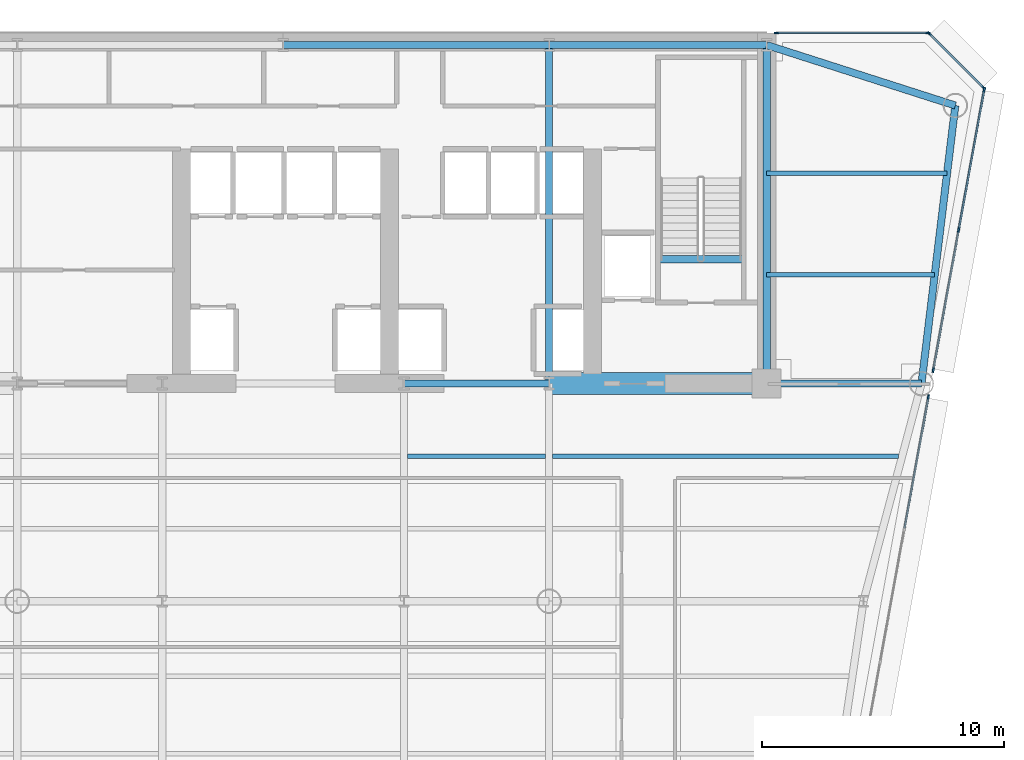
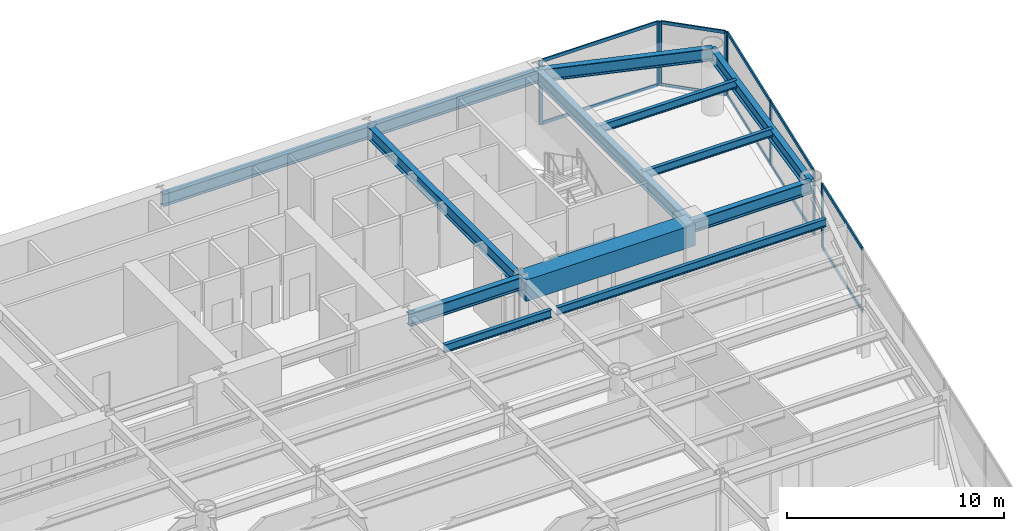
# One storey, part 6 of 14: 18 members, 14 beams, 4 elements without a shape of their own.
"""IFC4 building model written with IfcOpenShell, lengths in metres."""

from ifc_helpers import new_model, si_unit, direction, frame, origin, origin_2d, place, context, subcontext, project, spatial, rectangle, i_section, extrude, source, transform, mapped, material, layer, layer_set, material_profile, profile_set, type_object, element, aggregate, save


model = new_model("IFC4")

# Units and contexts
model_context = context("Model", 3, precision=1e-05, world=origin(), true_north=direction((0.0, 1.0)))
body_context = subcontext(model_context, "Body", "Model", "MODEL_VIEW")
ifc_project = project(units=[si_unit("LENGTHUNIT", "METRE"), si_unit("AREAUNIT", "SQUARE_METRE"), si_unit("VOLUMEUNIT", "CUBIC_METRE"), si_unit("PLANEANGLEUNIT", "RADIAN"), si_unit("MASSUNIT", "GRAM", prefix="KILO")], contexts=[model_context])

# Site, building, storey
site_placement = place(None, origin())
site = spatial("IfcSite", under=ifc_project, at=site_placement, CompositionType="ELEMENT")
building_placement = place(site_placement, origin())
building = spatial("IfcBuilding", under=site, at=building_placement, Name="Vaeldorn Concourse Tower", CompositionType="ELEMENT")
storey_placement = place(building_placement, frame((0.0, 0.0, 133.800048828125)))
storey = spatial("IfcBuildingStorey", under=building, at=storey_placement, Name="L34", CompositionType="ELEMENT", Elevation=133.800048828125)

# Beams
ifc_material_1 = material(Name="Concrete C60/75", Category="concrete")
ifc_material_profile_1 = material_profile(ifc_material_1, rectangle(XDim=0.89990234375, YDim=1.199951171875, at=origin_2d()), Name="RC 900x1200")
ifc_profile_set_1 = profile_set([ifc_material_profile_1], Name="Concrete C60/75")
beam_type_1 = type_object("IfcBeamType", Name="BM-CB-RC900", PredefinedType="BEAM", material=ifc_profile_set_1)
shared_shape_1 = source(origin(), body_context, "Body", "SweptSolid", [
    extrude(rectangle(XDim=0.89990234375, YDim=1.199951171875, at=origin_2d()), origin(), (0.0, 0.0, 1.0), 9.0),
])
beam_1_placement = place(storey_placement, frame((45.0, 36.5, 2.97998046875), z_axis=(1.0, 0.0, 0.0), x_axis=(0.0, 1.0, 0.0)))
element("IfcBeam", 1, at=beam_1_placement, inside=storey, type_object=beam_type_1, Name="Core Coupling Beam L34-2", PredefinedType="BEAM", context=body_context, shape_type="MappedRepresentation", body=[
    mapped(shared_shape_1, transform((0.0, 0.0, 0.0), scale=1.0)),
])
ifc_material_2 = material(Name="Steel S355", Category="steel")
ifc_material_profile_2 = material_profile(ifc_material_2, i_section(OverallWidth=0.300048828125, OverallDepth=0.340087890625, WebThickness=0.011962890625, FlangeThickness=0.021484375, FilletRadius=0.027099609375, at=origin_2d()), Name="HEB 340")
ifc_profile_set_2 = profile_set([ifc_material_profile_2], Name="Steel S355")
beam_type_2 = type_object("IfcBeamType", Name="BM-ST-TRIM", PredefinedType="BEAM", material=ifc_profile_set_2)
shared_shape_2 = source(origin(), body_context, "Body", "SweptSolid", [
    extrude(i_section(OverallWidth=0.300048828125, OverallDepth=0.340087890625, WebThickness=0.011962890625, FlangeThickness=0.021484375, FilletRadius=0.027099609375, at=origin_2d()), origin(), (0.0, 0.0, 1.0), 3.590087890625),
])
beam_2_placement = place(storey_placement, frame((49.47998046875, 41.639892578125, -0.39013671875), z_axis=(1.0, 0.0, 0.0), x_axis=(0.0, 1.0, 0.0)))
element("IfcBeam", 2, at=beam_2_placement, inside=storey, type_object=beam_type_2, Name="Stair Landing Trimmer Beam ST-2 L34", PredefinedType="BEAM", context=body_context, shape_type="MappedRepresentation", body=[
    mapped(shared_shape_2, transform((0.0, 0.0, 0.0), scale=1.0)),
])
ifc_material_profile_3 = material_profile(ifc_material_2, i_section(OverallWidth=0.300048828125, OverallDepth=0.699951171875, WebThickness=0.01708984375, FlangeThickness=0.031982421875, FilletRadius=0.027099609375, at=origin_2d()), Name="HEB 700")
ifc_profile_set_3 = profile_set([ifc_material_profile_3], Name="Steel S355")
beam_type_3 = type_object("IfcBeamType", Name="BM-PG-HEB700", PredefinedType="BEAM", material=ifc_profile_set_3)
shared_shape_3 = source(origin(), body_context, "Body", "SweptSolid", [
    extrude(i_section(OverallWidth=0.300048828125, OverallDepth=0.699951171875, WebThickness=0.01708984375, FlangeThickness=0.031982421875, FilletRadius=0.027099609375, at=origin_2d()), origin(), (0.0, 0.0, 1.0), 6.0),
])
beam_3_placement = place(storey_placement, frame((39.0, 36.5, 3.22998046875), z_axis=(1.0, 0.0, 0.0), x_axis=(0.0, 1.0, 0.0)))
element("IfcBeam", 3, at=beam_3_placement, inside=storey, type_object=beam_type_3, Name="Beam BM-L34-C-FC4-C-FC5", PredefinedType="BEAM", context=body_context, shape_type="MappedRepresentation", body=[
    mapped(shared_shape_3, transform((0.0, 0.0, 0.0), scale=1.0)),
])
shared_shape_4 = source(origin(), body_context, "Body", "SweptSolid", [
    extrude(i_section(OverallWidth=0.300048828125, OverallDepth=0.699951171875, WebThickness=0.01708984375, FlangeThickness=0.031982421875, FilletRadius=0.027099609375, at=origin_2d()), origin(), (0.0, 0.0, 1.0), 9.0),
])
beam_4_placement = place(storey_placement, frame((45.0, 50.5, 3.22998046875), z_axis=(1.0, 0.0, 0.0), x_axis=(0.0, 1.0, 0.0)))
element("IfcBeam", 4, at=beam_4_placement, inside=storey, type_object=beam_type_3, Name="Beam BM-L34-C-HC4-C-HC5", PredefinedType="BEAM", context=body_context, shape_type="MappedRepresentation", body=[
    mapped(shared_shape_4, transform((0.0, 0.0, 0.0), scale=1.0)),
])
shared_shape_5 = source(origin(), body_context, "Body", "SweptSolid", [
    extrude(i_section(OverallWidth=0.300048828125, OverallDepth=0.699951171875, WebThickness=0.01708984375, FlangeThickness=0.031982421875, FilletRadius=0.027099609375, at=origin_2d()), origin(), (0.0, 0.0, 1.0), 11.0),
])
beam_5_placement = place(storey_placement, frame((34.0, 50.5, 3.22998046875), z_axis=(1.0, 0.0, 0.0), x_axis=(0.0, 1.0, 0.0)))
element("IfcBeam", 5, at=beam_5_placement, inside=storey, type_object=beam_type_3, Name="Beam BM-L34-C-HC3-C-HC4", PredefinedType="BEAM", context=body_context, shape_type="MappedRepresentation", body=[
    mapped(shared_shape_5, transform((0.0, 0.0, 0.0), scale=1.0)),
])
shared_shape_6 = source(origin(), body_context, "Body", "SweptSolid", [
    extrude(i_section(OverallWidth=0.300048828125, OverallDepth=0.699951171875, WebThickness=0.01708984375, FlangeThickness=0.031982421875, FilletRadius=0.027099609375, at=origin_2d()), origin(), (0.0, 0.0, 1.0), 14.0),
])
for number, where, z_axis, x_axis, name in (
    (6, (45.0, 36.5, 3.22998046875), (0.0, 1.0, 0.0), (-1.0, 0.0, 0.0), "Beam BM-L34-C-FC5-C-HC4"),
    (7, (54.0, 36.5, 3.22998046875), (0.0, 1.0, 0.0), (-1.0, 0.0, 0.0), "Beam BM-L34-C-FC6-C-HC5"),
):
    element("IfcBeam", number, at=place(storey_placement, frame(where, z_axis=z_axis, x_axis=x_axis)), inside=storey, type_object=beam_type_3, Name=name, PredefinedType="BEAM", context=body_context, shape_type="MappedRepresentation", body=[
        mapped(shared_shape_6, transform((0.0, 0.0, 0.0), scale=1.0)),
    ])
shared_shape_7 = source(origin(), body_context, "Body", "SweptSolid", [
    extrude(i_section(OverallWidth=0.300048828125, OverallDepth=0.699951171875, WebThickness=0.01708984375, FlangeThickness=0.031982421875, FilletRadius=0.027099609375, at=origin_2d()), origin(), (0.0, 0.0, 1.0), 8.19091796875),
])
beam_6_placement = place(storey_placement, frame((54.0, 50.5, 3.22998046875), z_axis=(0.952282843383, -0.305216949396, 0.0), x_axis=(0.305216949396, 0.952282843383, 0.0)))
element("IfcBeam", 8, at=beam_6_placement, inside=storey, type_object=beam_type_3, Name="Beam BM-L34-C-HC5-C-NE1", PredefinedType="BEAM", context=body_context, shape_type="MappedRepresentation", body=[
    mapped(shared_shape_7, transform((0.0, 0.0, 0.0), scale=1.0)),
])
shared_shape_8 = source(origin(), body_context, "Body", "SweptSolid", [
    extrude(i_section(OverallWidth=0.300048828125, OverallDepth=0.699951171875, WebThickness=0.01708984375, FlangeThickness=0.031982421875, FilletRadius=0.027099609375, at=origin_2d()), origin(), (0.0, 0.0, 1.0), 11.5849609375),
])
beam_7_placement = place(storey_placement, frame((61.800048828125, 48.0, 3.22998046875), z_axis=(-0.120859382899, -0.992669637677, 0.0), x_axis=(0.992669637677, -0.120859382899, 0.0)))
element("IfcBeam", 9, at=beam_7_placement, inside=storey, type_object=beam_type_3, Name="Beam BM-L34-C-NE1-C-NE2", PredefinedType="BEAM", context=body_context, shape_type="MappedRepresentation", body=[
    mapped(shared_shape_8, transform((0.0, 0.0, 0.0), scale=1.0)),
])
shared_shape_9 = source(origin(), body_context, "Body", "SweptSolid", [
    extrude(i_section(OverallWidth=0.300048828125, OverallDepth=0.699951171875, WebThickness=0.01708984375, FlangeThickness=0.031982421875, FilletRadius=0.027099609375, at=origin_2d()), origin(), (0.0, 0.0, 1.0), 6.39990234375),
])
beam_8_placement = place(storey_placement, frame((54.0, 36.5, 3.22998046875), z_axis=(1.0, 0.0, 0.0), x_axis=(0.0, 1.0, 0.0)))
element("IfcBeam", 10, at=beam_8_placement, inside=storey, type_object=beam_type_3, Name="Beam BM-L34-C-FC6-C-NE2", PredefinedType="BEAM", context=body_context, shape_type="MappedRepresentation", body=[
    mapped(shared_shape_9, transform((0.0, 0.0, 0.0), scale=1.0)),
])
ifc_material_profile_4 = material_profile(ifc_material_2, i_section(OverallWidth=0.18994140625, OverallDepth=0.449951171875, WebThickness=0.009521484375, FlangeThickness=0.0146484375, FilletRadius=0.02099609375, at=origin_2d()), Name="IPE 450")
ifc_profile_set_4 = profile_set([ifc_material_profile_4], Name="Steel S355")
beam_type_4 = type_object("IfcBeamType", Name="BM-JS-IPE450", PredefinedType="JOIST", material=ifc_profile_set_4)
shared_shape_10 = source(origin(), body_context, "Body", "SweptSolid", [
    extrude(i_section(OverallWidth=0.18994140625, OverallDepth=0.449951171875, WebThickness=0.009521484375, FlangeThickness=0.0146484375, FilletRadius=0.02099609375, at=origin_2d()), origin(), (0.0, 0.0, 1.0), 5.7001953125),
])
beam_9_placement = place(storey_placement, frame((39.14990234375, 33.5, 3.35498046875), z_axis=(1.0, 0.0, 0.0), x_axis=(0.0, 1.0, 0.0)))
element("IfcBeam", 11, at=beam_9_placement, inside=storey, type_object=beam_type_4, Name="Beam JS-L34-E2-335", PredefinedType="JOIST", context=body_context, shape_type="MappedRepresentation", body=[
    mapped(shared_shape_10, transform((0.0, 0.0, 0.0), scale=1.0)),
])
shared_shape_11 = source(origin(), body_context, "Body", "SweptSolid", [
    extrude(i_section(OverallWidth=0.18994140625, OverallDepth=0.449951171875, WebThickness=0.009521484375, FlangeThickness=0.0146484375, FilletRadius=0.02099609375, at=origin_2d()), origin(), (0.0, 0.0, 1.0), 6.94775390625),
])
beam_10_placement = place(storey_placement, frame((54.0, 41.0, 3.35498046875), z_axis=(1.0, 0.0, 0.0), x_axis=(0.0, 1.0, 0.0)))
element("IfcBeam", 12, at=beam_10_placement, inside=storey, type_object=beam_type_4, Name="Beam JS-L34-NE-410", PredefinedType="JOIST", context=body_context, shape_type="MappedRepresentation", body=[
    mapped(shared_shape_11, transform((0.0, 0.0, 0.0), scale=1.0)),
])
shared_shape_12 = source(origin(), body_context, "Body", "SweptSolid", [
    extrude(i_section(OverallWidth=0.18994140625, OverallDepth=0.449951171875, WebThickness=0.009521484375, FlangeThickness=0.0146484375, FilletRadius=0.02099609375, at=origin_2d()), origin(), (0.0, 0.0, 1.0), 7.458984375),
])
beam_11_placement = place(storey_placement, frame((54.0, 45.199951171875, 3.35498046875), z_axis=(1.0, 0.0, 0.0), x_axis=(0.0, 1.0, 0.0)))
element("IfcBeam", 13, at=beam_11_placement, inside=storey, type_object=beam_type_4, Name="Beam JS-L34-NE-452", PredefinedType="JOIST", context=body_context, shape_type="MappedRepresentation", body=[
    mapped(shared_shape_12, transform((0.0, 0.0, 0.0), scale=1.0)),
])
shared_shape_13 = source(origin(), body_context, "Body", "SweptSolid", [
    extrude(i_section(OverallWidth=0.18994140625, OverallDepth=0.449951171875, WebThickness=0.009521484375, FlangeThickness=0.0146484375, FilletRadius=0.02099609375, at=origin_2d()), origin(), (0.0, 0.0, 1.0), 14.300048828125),
])
beam_12_placement = place(storey_placement, frame((45.14990234375, 33.5, 3.35498046875), z_axis=(1.0, 0.0, 0.0), x_axis=(0.0, 1.0, 0.0)))
element("IfcBeam", 14, at=beam_12_placement, inside=storey, type_object=beam_type_4, Name="Beam JS-L34-E1-335", PredefinedType="JOIST", context=body_context, shape_type="MappedRepresentation", body=[
    mapped(shared_shape_13, transform((0.0, 0.0, 0.0), scale=1.0)),
])

# Curtain wall, members
ifc_material_3 = material(Name="Anodised Bronze Aluminium", Category="aluminium")
ifc_layer = layer(ifc_material_3, 0.199951171875)
ifc_layer_set = layer_set([ifc_layer], Name="Anodised Bronze Aluminium")
curtain_wall_type = type_object("IfcCurtainWallType", Name="CW-SYS-02", PredefinedType="NOTDEFINED", material=ifc_layer_set)
curtain_wall_1_placement = place(storey_placement, origin())
curtain_wall_1 = element("IfcCurtainWall", 15, at=curtain_wall_1_placement, inside=storey, type_object=curtain_wall_type, Name="Unitised Curtain Wall CW-L34-E08-1", PredefinedType="NOTDEFINED")
ifc_material_profile_5 = material_profile(ifc_material_3, rectangle(XDim=0.074951171875, YDim=0.179931640625, at=origin_2d()), Name="CWT 75x180")
ifc_profile_set_5 = profile_set([ifc_material_profile_5], Name="Anodised Bronze Aluminium")
member_type_1 = type_object("IfcMemberType", Name="CWT-BRONZE-180", PredefinedType="USERDEFINED", material=ifc_profile_set_5)
shared_shape_14 = source(origin(), body_context, "Body", "SweptSolid", [
    extrude(rectangle(XDim=0.074951171875, YDim=0.179931640625, at=origin_2d()), origin(), (0.0, 0.0, 1.0), 3.10302734375),
])
member_1_placement = place(storey_placement, frame((62.947021484375, 48.7529296875, 0.037353515625), z_axis=(-0.707106781187, 0.707106781187, 0.0), x_axis=(-0.707106781187, -0.707106781187, 0.0)))
member_1 = element("IfcMember", 16, at=member_1_placement, type_object=member_type_1, Name="CW-02 transom 1.1", ObjectType="TRANSOM", PredefinedType="USERDEFINED", context=body_context, shape_type="MappedRepresentation", body=[
    mapped(shared_shape_14, transform((0.0, 0.0, 0.0), scale=1.0)),
])
member_2_placement = place(storey_placement, frame((62.947021484375, 48.7529296875, 3.54248046875), z_axis=(-0.707106781187, 0.707106781187, 0.0), x_axis=(-0.707106781187, -0.707106781187, 0.0)))
member_2 = element("IfcMember", 17, at=member_2_placement, type_object=member_type_1, Name="CW-02 transom 1.2", ObjectType="TRANSOM", PredefinedType="USERDEFINED", context=body_context, shape_type="MappedRepresentation", body=[
    mapped(shared_shape_14, transform((0.0, 0.0, 0.0), scale=1.0)),
])

curtain_wall_2_placement = place(storey_placement, origin())
curtain_wall_2 = element("IfcCurtainWall", 18, at=curtain_wall_2_placement, inside=storey, type_object=curtain_wall_type, Name="Unitised Curtain Wall CW-L34-E09-1", PredefinedType="NOTDEFINED")
shared_shape_15 = source(origin(), body_context, "Body", "SweptSolid", [
    extrude(rectangle(XDim=0.074951171875, YDim=0.179931640625, at=origin_2d()), origin(), (0.0, 0.0, 1.0), 6.179931640625),
])
member_3_placement = place(storey_placement, frame((60.625, 51.0, 0.037353515625), z_axis=(-1.0, 0.0, 0.0), x_axis=(0.0, -1.0, 0.0)))
member_3 = element("IfcMember", 19, at=member_3_placement, type_object=member_type_1, Name="CW-02 transom 1.1", ObjectType="TRANSOM", PredefinedType="USERDEFINED", context=body_context, shape_type="MappedRepresentation", body=[
    mapped(shared_shape_15, transform((0.0, 0.0, 0.0), scale=1.0)),
])
member_4_placement = place(storey_placement, frame((60.625, 51.0, 3.54248046875), z_axis=(-1.0, 0.0, 0.0), x_axis=(0.0, -1.0, 0.0)))
member_4 = element("IfcMember", 20, at=member_4_placement, type_object=member_type_1, Name="CW-02 transom 1.2", ObjectType="TRANSOM", PredefinedType="USERDEFINED", context=body_context, shape_type="MappedRepresentation", body=[
    mapped(shared_shape_15, transform((0.0, 0.0, 0.0), scale=1.0)),
])

# Curtain wall, member
curtain_wall_3_placement = place(storey_placement, origin())
curtain_wall_3 = element("IfcCurtainWall", 21, at=curtain_wall_3_placement, inside=storey, type_object=curtain_wall_type, Name="Unitised Curtain Wall CW-L34-E07-1", PredefinedType="NOTDEFINED")
ifc_material_profile_6 = material_profile(ifc_material_3, rectangle(XDim=0.074951171875, YDim=0.18994140625, at=origin_2d()), Name="CWM 75x190")
ifc_profile_set_6 = profile_set([ifc_material_profile_6], Name="Anodised Bronze Aluminium")
member_type_2 = type_object("IfcMemberType", Name="CWM-BRONZE-190", PredefinedType="MULLION", material=ifc_profile_set_6)
shared_shape_16 = source(origin(), body_context, "Body", "SweptSolid", [
    extrude(rectangle(XDim=0.074951171875, YDim=0.18994140625, at=origin_2d()), origin(), (0.0, 0.0, 1.0), 3.579833984375),
])
member_5_placement = place(storey_placement, frame((60.68359375, 35.945068359375, 0.0), z_axis=(0.0, 0.0, 1.0), x_axis=(-0.983905086808, 0.178691858108, 0.0)))
member_5 = element("IfcMember", 22, at=member_5_placement, type_object=member_type_2, Name="CW-02 mullion 7", PredefinedType="MULLION", context=body_context, shape_type="MappedRepresentation", body=[
    mapped(shared_shape_16, transform((0.0, 0.0, 0.0), scale=1.0)),
])

# Curtain wall, members
curtain_wall_4_placement = place(storey_placement, origin())
curtain_wall_4 = element("IfcCurtainWall", 23, at=curtain_wall_4_placement, inside=storey, type_object=curtain_wall_type, Name="Unitised Curtain Wall CW-L34-E07-2", PredefinedType="NOTDEFINED")
member_6_placement = place(storey_placement, frame((60.885009765625, 37.054931640625, 0.0), z_axis=(0.0, 0.0, 1.0), x_axis=(-0.983905466886, 0.178689765327, 0.0)))
member_6 = element("IfcMember", 24, at=member_6_placement, type_object=member_type_2, Name="CW-02 mullion 1", PredefinedType="MULLION", context=body_context, shape_type="MappedRepresentation", body=[
    mapped(shared_shape_16, transform((0.0, 0.0, 0.0), scale=1.0)),
])
member_7_placement = place(storey_placement, frame((61.939208984375, 42.85888671875, 0.0), z_axis=(0.0, 0.0, 1.0), x_axis=(-0.983905466886, 0.178689765327, 0.0)))
member_7 = element("IfcMember", 25, at=member_7_placement, type_object=member_type_2, Name="CW-02 mullion 2", PredefinedType="MULLION", context=body_context, shape_type="MappedRepresentation", body=[
    mapped(shared_shape_16, transform((0.0, 0.0, 0.0), scale=1.0)),
])
member_8_placement = place(storey_placement, frame((62.993408203125, 48.6630859375, 0.0), z_axis=(0.0, 0.0, 1.0), x_axis=(-0.983905466886, 0.178689765327, 0.0)))
member_8 = element("IfcMember", 26, at=member_8_placement, type_object=member_type_2, Name="CW-02 mullion 3", PredefinedType="MULLION", context=body_context, shape_type="MappedRepresentation", body=[
    mapped(shared_shape_16, transform((0.0, 0.0, 0.0), scale=1.0)),
])

# Member
member_9_placement = place(storey_placement, frame((62.973388671875, 48.7265625, 0.0), z_axis=(0.0, 0.0, 1.0), x_axis=(-0.707106781187, -0.707106781187, 0.0)))
member_9 = element("IfcMember", 27, at=member_9_placement, type_object=member_type_2, Name="CW-02 mullion 1", PredefinedType="MULLION", context=body_context, shape_type="MappedRepresentation", body=[
    mapped(shared_shape_16, transform((0.0, 0.0, 0.0), scale=1.0)),
])

member_10_placement = place(storey_placement, frame((60.7265625, 50.973388671875, 0.0), z_axis=(0.0, 0.0, 1.0), x_axis=(-0.707106781187, -0.707106781187, 0.0)))
member_10 = element("IfcMember", 28, at=member_10_placement, type_object=member_type_2, Name="CW-02 mullion 2", PredefinedType="MULLION", context=body_context, shape_type="MappedRepresentation", body=[
    mapped(shared_shape_16, transform((0.0, 0.0, 0.0), scale=1.0)),
])

aggregate(curtain_wall_1, [member_9, member_10, member_1, member_2])

member_11_placement = place(storey_placement, frame((60.66259765625, 51.0, 0.0), z_axis=(0.0, 0.0, 1.0), x_axis=(0.0, -1.0, 0.0)))
member_11 = element("IfcMember", 29, at=member_11_placement, type_object=member_type_2, Name="CW-02 mullion 1", PredefinedType="MULLION", context=body_context, shape_type="MappedRepresentation", body=[
    mapped(shared_shape_16, transform((0.0, 0.0, 0.0), scale=1.0)),
])

member_12_placement = place(storey_placement, frame((54.407470703125, 51.0, 0.0), z_axis=(0.0, 0.0, 1.0), x_axis=(0.0, -1.0, 0.0)))
member_12 = element("IfcMember", 30, at=member_12_placement, type_object=member_type_2, Name="CW-02 mullion 2", PredefinedType="MULLION", context=body_context, shape_type="MappedRepresentation", body=[
    mapped(shared_shape_16, transform((0.0, 0.0, 0.0), scale=1.0)),
])

aggregate(curtain_wall_2, [member_11, member_12, member_3, member_4])

shared_shape_17 = source(origin(), body_context, "Body", "SweptSolid", [
    extrude(rectangle(XDim=0.074951171875, YDim=0.179931640625, at=origin_2d()), origin(), (0.0, 0.0, 1.0), 5.823974609375),
])
member_13_placement = place(storey_placement, frame((60.891845703125, 37.091796875, 0.037353515625), z_axis=(0.178704676428, 0.983902758723, 0.0), x_axis=(-0.983902758723, 0.178704676428, 0.0)))
member_13 = element("IfcMember", 31, at=member_13_placement, type_object=member_type_1, Name="CW-02 transom 1.1", ObjectType="TRANSOM", PredefinedType="USERDEFINED", context=body_context, shape_type="MappedRepresentation", body=[
    mapped(shared_shape_17, transform((0.0, 0.0, 0.0), scale=1.0)),
])

member_14_placement = place(storey_placement, frame((60.891845703125, 37.091796875, 3.54248046875), z_axis=(0.178704676428, 0.983902758723, 0.0), x_axis=(-0.983902758723, 0.178704676428, 0.0)))
member_14 = element("IfcMember", 32, at=member_14_placement, type_object=member_type_1, Name="CW-02 transom 1.2", ObjectType="TRANSOM", PredefinedType="USERDEFINED", context=body_context, shape_type="MappedRepresentation", body=[
    mapped(shared_shape_17, transform((0.0, 0.0, 0.0), scale=1.0)),
])

member_15_placement = place(storey_placement, frame((61.94580078125, 42.89599609375, 0.037353515625), z_axis=(0.178704676428, 0.983902758723, 0.0), x_axis=(-0.983902758723, 0.178704676428, 0.0)))
member_15 = element("IfcMember", 33, at=member_15_placement, type_object=member_type_1, Name="CW-02 transom 2.1", ObjectType="TRANSOM", PredefinedType="USERDEFINED", context=body_context, shape_type="MappedRepresentation", body=[
    mapped(shared_shape_17, transform((0.0, 0.0, 0.0), scale=1.0)),
])

member_16_placement = place(storey_placement, frame((61.94580078125, 42.89599609375, 3.54248046875), z_axis=(0.178704676428, 0.983902758723, 0.0), x_axis=(-0.983902758723, 0.178704676428, 0.0)))
member_16 = element("IfcMember", 34, at=member_16_placement, type_object=member_type_1, Name="CW-02 transom 2.2", ObjectType="TRANSOM", PredefinedType="USERDEFINED", context=body_context, shape_type="MappedRepresentation", body=[
    mapped(shared_shape_17, transform((0.0, 0.0, 0.0), scale=1.0)),
])

aggregate(curtain_wall_4, [member_6, member_7, member_8, member_13, member_14, member_15, member_16])

shared_shape_18 = source(origin(), body_context, "Body", "SweptSolid", [
    extrude(rectangle(XDim=0.074951171875, YDim=0.179931640625, at=origin_2d()), origin(), (0.0, 0.0, 1.0), 5.4716796875),
])
member_17_placement = place(storey_placement, frame((59.698974609375, 30.524658203125, 0.037353515625), z_axis=(0.178700889016, 0.983903446617, 0.0), x_axis=(-0.983903446617, 0.178700889016, 0.0)))
member_17 = element("IfcMember", 35, at=member_17_placement, type_object=member_type_1, Name="CW-02 transom 6.1", ObjectType="TRANSOM", PredefinedType="USERDEFINED", context=body_context, shape_type="MappedRepresentation", body=[
    mapped(shared_shape_18, transform((0.0, 0.0, 0.0), scale=1.0)),
])

member_18_placement = place(storey_placement, frame((59.698974609375, 30.524658203125, 3.54248046875), z_axis=(0.178700889016, 0.983903446617, 0.0), x_axis=(-0.983903446617, 0.178700889016, 0.0)))
member_18 = element("IfcMember", 36, at=member_18_placement, type_object=member_type_1, Name="CW-02 transom 6.2", ObjectType="TRANSOM", PredefinedType="USERDEFINED", context=body_context, shape_type="MappedRepresentation", body=[
    mapped(shared_shape_18, transform((0.0, 0.0, 0.0), scale=1.0)),
])

aggregate(curtain_wall_3, [member_5, member_17, member_18])

save(model, "model.ifc")
